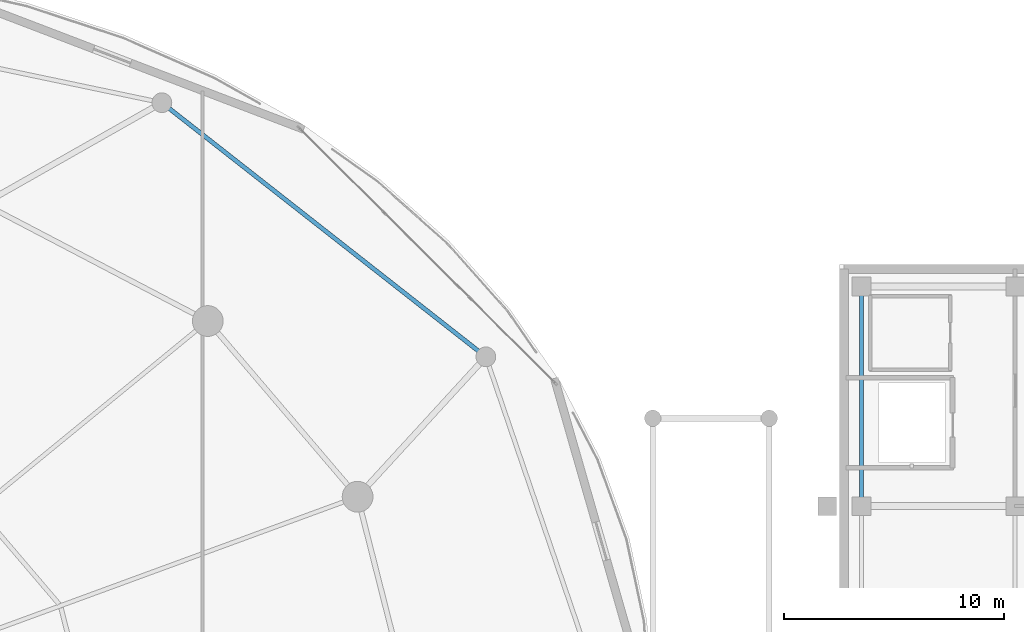
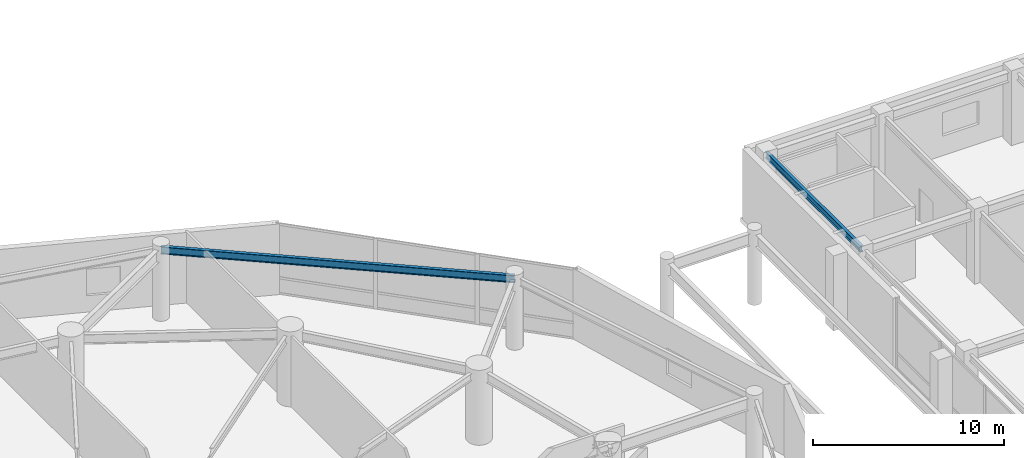
# One storey, part 19 of 40: 2 beams.
"""IFC4 building model written with IfcOpenShell, lengths in metres."""

from ifc_helpers import new_model, si_unit, direction, frame, origin, origin_2d, place, context, subcontext, project, spatial, i_section, extrude, material, material_profile, profile_set, type_object, element, save


model = new_model("IFC4")

# Units and contexts
model_context = context("Model", 3, precision=1e-05, world=origin(), true_north=direction((0.0, 1.0)))
body_context = subcontext(model_context, "Body", "Model", "MODEL_VIEW")
ifc_project = project(units=[si_unit("LENGTHUNIT", "METRE"), si_unit("AREAUNIT", "SQUARE_METRE"), si_unit("VOLUMEUNIT", "CUBIC_METRE"), si_unit("PLANEANGLEUNIT", "RADIAN"), si_unit("MASSUNIT", "GRAM", prefix="KILO")], contexts=[model_context])

# Site, building, storey
site_placement = place(None, origin())
site = spatial("IfcSite", under=ifc_project, at=site_placement, CompositionType="ELEMENT")
building_placement = place(site_placement, origin())
building = spatial("IfcBuilding", under=site, at=building_placement, Name="Kazevale Care Tower and Concert Hall", CompositionType="ELEMENT")
storey_placement = place(building_placement, frame((0.0, 0.0, 4.800048828125)))
storey = spatial("IfcBuildingStorey", under=building, at=storey_placement, Name="L01", CompositionType="ELEMENT", Elevation=4.800048828125)

# Beams
ifc_material = material(Name="Steel ASTM A572 Gr 50", Category="steel")
ifc_material_profile_1 = material_profile(ifc_material, i_section(OverallWidth=0.180908203125, OverallDepth=0.4169921875, WebThickness=0.010986328125, FlangeThickness=0.018310546875, at=origin_2d()), Name="W410x85")
ifc_profile_set_1 = profile_set([ifc_material_profile_1], Name="Steel ASTM A572 Gr 50")
beam_type_1 = type_object("IfcBeamType", Name="Concert Hall Secondary Beam W410x85", PredefinedType="BEAM", material=ifc_profile_set_1)
beam_1_placement = place(storey_placement, frame((97.0, 47.0, 4.3115234375), z_axis=(0.0, 1.0, 0.0), x_axis=(-1.0, 0.0, 0.0)))
element("IfcBeam", 1, at=beam_1_placement, inside=storey, type_object=beam_type_1, Name="beam:L01:hy:97_47", PredefinedType="BEAM", context=body_context, shape_type="SweptSolid", body=[
    extrude(i_section(OverallWidth=0.180908203125, OverallDepth=0.4169921875, WebThickness=0.010986328125, FlangeThickness=0.018310546875, at=origin_2d()), origin(), (0.0, 0.0, 1.0), 10.0),
])
ifc_material_profile_2 = material_profile(ifc_material, i_section(OverallWidth=0.194091796875, OverallDepth=0.468994140625, WebThickness=0.0126953125, FlangeThickness=0.0205078125, at=origin_2d()), Name="W460x106")
ifc_profile_set_2 = profile_set([ifc_material_profile_2], Name="Steel ASTM A572 Gr 50")
beam_type_2 = type_object("IfcBeamType", Name="Podium Floor Beam W460x106", PredefinedType="BEAM", material=ifc_profile_set_2)
beam_2_placement = place(storey_placement, frame((79.89990234375, 53.800048828125, 4.285400390625), z_axis=(-0.786816091325, 0.617187522907, 0.0), x_axis=(-0.617187522907, -0.786816091325, 0.0)))
element("IfcBeam", 2, at=beam_2_placement, inside=storey, type_object=beam_type_2, Name="beam:L01:podring:02", PredefinedType="BEAM", context=body_context, shape_type="SweptSolid", body=[
    extrude(i_section(OverallWidth=0.194091796875, OverallDepth=0.468994140625, WebThickness=0.0126953125, FlangeThickness=0.0205078125, at=origin_2d()), origin(), (0.0, 0.0, 1.0), 18.746337890625),
])

save(model, "model.ifc")
